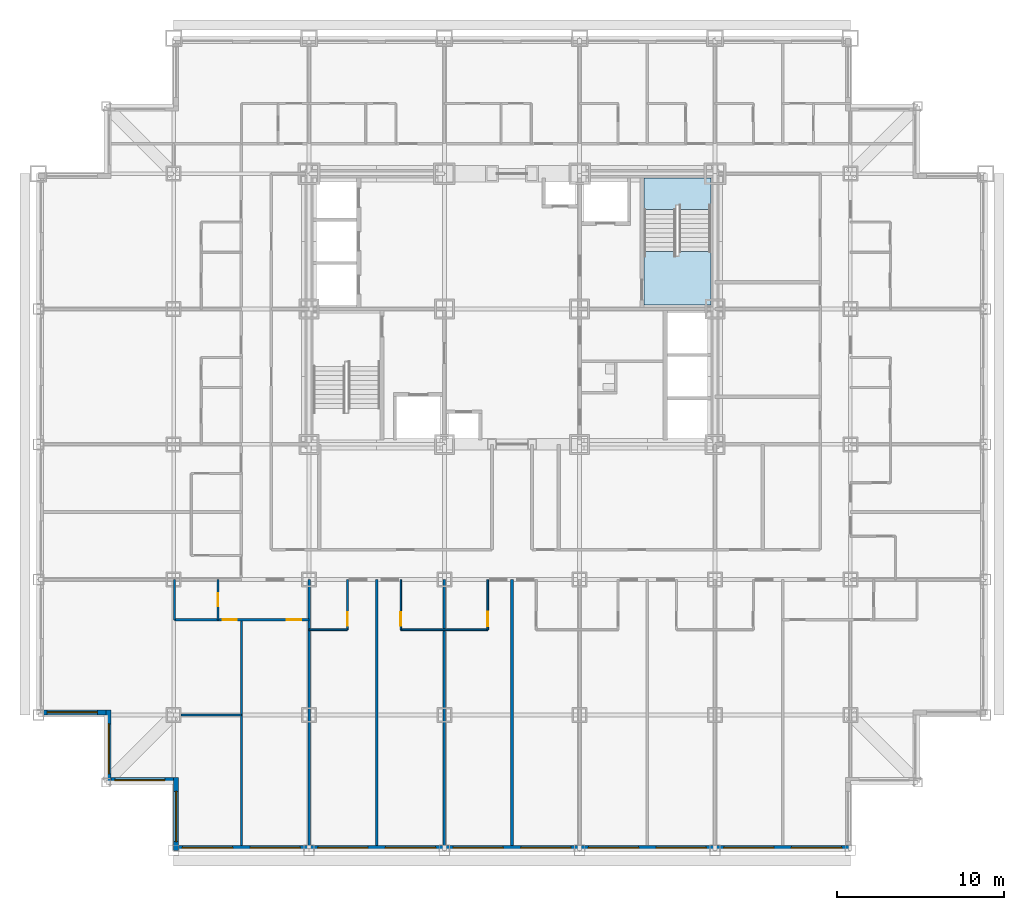
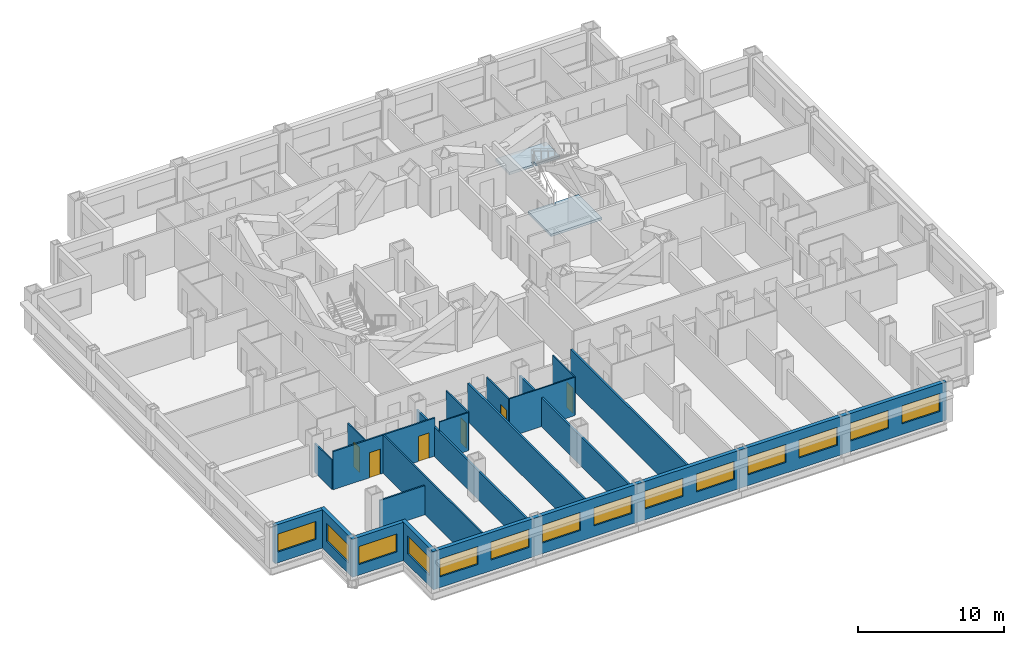
# One storey, part 3 of 12: 19 walls, 14 windows, 6 doors, 2 slabs, 20 openings, 1 element without a shape of its own.
"""IFC4 building model written with IfcOpenShell, lengths in metres."""

from ifc_helpers import new_model, si_unit, direction, frame, frame_2d, origin, place, context, subcontext, project, spatial, polyline, rectangle, outline, extrude, material, layer, layer_set, type_object, element, fill, aggregate, save


model = new_model("IFC4")

# Units and contexts
model_context = context("Model", 3, precision=1e-05, world=origin(), true_north=direction((0.0, 1.0)))
body_context = subcontext(model_context, "Body", "Model", "MODEL_VIEW")
ifc_project = project(units=[si_unit("LENGTHUNIT", "METRE"), si_unit("AREAUNIT", "SQUARE_METRE"), si_unit("VOLUMEUNIT", "CUBIC_METRE"), si_unit("PLANEANGLEUNIT", "RADIAN"), si_unit("MASSUNIT", "GRAM", prefix="KILO")], contexts=[model_context])

# Site, building, storey
site_placement = place(None, origin())
site = spatial("IfcSite", under=ifc_project, at=site_placement, CompositionType="ELEMENT")
building_placement = place(site_placement, origin())
building = spatial("IfcBuilding", under=site, at=building_placement, Name="Kopane Lantern Tower", CompositionType="ELEMENT")
storey_placement = place(building_placement, frame((0.0, 0.0, 77.199951171875)))
storey = spatial("IfcBuildingStorey", under=building, at=storey_placement, Name="L19", CompositionType="ELEMENT", Elevation=77.199951171875)

# Stair, slabs
ifc_material_1 = material(Name="Steel S355JR", Category="steel")
stair_type = type_object("IfcStairType", Name="EXIT STAIR 1900 HALF TURN", PredefinedType="HALF_TURN_STAIR", material=ifc_material_1)
stair_placement = place(storey_placement, origin())
stair = element("IfcStair", 1, at=stair_placement, inside=storey, type_object=stair_type, Name="Exit stair ST2 L19", PredefinedType="HALF_TURN_STAIR")
ifc_material_2 = material(Name="Concrete C40/50", Category="concrete")
ifc_layer_1 = layer(ifc_material_2, 0.199951171875)
ifc_layer_set_1 = layer_set([ifc_layer_1], Name="STAIR LANDING 200")
slab_type = type_object("IfcSlabType", Name="STAIR LANDING 200", PredefinedType="LANDING", material=ifc_layer_set_1)
slab_1_placement = place(storey_placement, frame((0.0, 0.0, -0.199951171875)))
slab_1 = element("IfcSlab", 2, at=slab_1_placement, type_object=slab_type, Name="ST2 landing 1", PredefinedType="LANDING", context=body_context, shape_type="SweptSolid", body=[
    extrude(outline(polyline([(40.25, 35.830078125), (38.35009765625, 35.830078125), (38.35009765625, 35.550048828125), (38.14990234375, 35.550048828125), (38.14990234375, 35.830078125), (36.25, 35.830078125), (36.25, 32.64990234375), (40.25, 32.64990234375), (40.25, 35.830078125)])), origin(), (0.0, 0.0, 1.0), 0.199951171875),
])
slab_2_placement = place(storey_placement, frame((0.0, 0.0, 1.5)))
slab_2 = element("IfcSlab", 3, at=slab_2_placement, type_object=slab_type, Name="ST2 landing 2", PredefinedType="LANDING", context=body_context, shape_type="SweptSolid", body=[
    extrude(outline(polyline([(38.14990234375, 38.6298828125), (38.35009765625, 38.6298828125), (38.35009765625, 38.35009765625), (40.25, 38.35009765625), (40.25, 40.25), (36.25, 40.25), (36.25, 38.35009765625), (38.14990234375, 38.35009765625), (38.14990234375, 38.6298828125)])), origin(), (0.0, 0.0, 1.0), 0.199951171875),
])
aggregate(stair, [slab_1, slab_2])

# Wall, openings, doors
ifc_material_3 = material(Name="Gypsum board on steel studs", Category="steel")
ifc_layer_2 = layer(ifc_material_3, 0.1201171875)
ifc_layer_set_2 = layer_set([ifc_layer_2], Name="APARTMENT INTERNAL WALL 120")
wall_type_1 = type_object("IfcWallType", Name="APARTMENT INTERNAL WALL 120", PredefinedType="PARTITIONING", material=ifc_layer_set_2)
wall_1_placement = place(storey_placement, frame((8.14990234375, 13.800048828125, 0.0), z_axis=(0.0, 0.0, 1.0), x_axis=(1.0, 0.0, 0.0)))
wall_1 = element("IfcWall", 4, at=wall_1_placement, inside=storey, type_object=wall_type_1, Name="Apartment Internal Wall 120 L19", PredefinedType="PARTITIONING", context=body_context, shape_type="SweptSolid", body=[
    extrude(rectangle(XDim=8.050048828125, YDim=0.1201171875, at=frame_2d((4.02490234375, 0.0))), origin(), (0.0, 0.0, 1.0), 3.18994140625),
])
opening_1_placement = place(wall_1_placement, frame((6.72509765625, 0.0, 0.0)))
opening_1 = element("IfcOpeningElement", 5, at=opening_1_placement, cuts=wall_1, Name="Opening L19-060", PredefinedType="OPENING", context=body_context, shape_type="SweptSolid", body=[
    extrude(rectangle(XDim=0.85009765625, YDim=2.10009765625, at=frame_2d((0.425048828125, 1.050048828125))), frame((0.0, 0.070068359375, 0.0), z_axis=(0.0, -1.0, 0.0), x_axis=(1.0, 0.0, 0.0)), (0.0, 0.0, 1.0), 0.14013671875),
])
opening_2_placement = place(wall_1_placement, frame((2.875, 0.0, 0.0)))
opening_2 = element("IfcOpeningElement", 6, at=opening_2_placement, cuts=wall_1, Name="Opening L19-062", PredefinedType="OPENING", context=body_context, shape_type="SweptSolid", body=[
    extrude(rectangle(XDim=0.85009765625, YDim=2.10009765625, at=frame_2d((0.425048828125, 1.050048828125))), frame((0.0, 0.070068359375, 0.0), z_axis=(0.0, -1.0, 0.0), x_axis=(1.0, 0.0, 0.0)), (0.0, 0.0, 1.0), 0.14013671875),
])
ifc_material_4 = material(Name="Timber door set", Category="wood")
door_type_1 = type_object("IfcDoorType", Name="DOOR D4 850x2100", OperationType="SINGLE_SWING_LEFT", PredefinedType="DOOR", material=ifc_material_4)
door_1_placement = place(opening_1_placement, origin())
door_1 = element("IfcDoor", 7, at=door_1_placement, inside=storey, type_object=door_type_1, Name="Door L19-060", OperationType="SINGLE_SWING_RIGHT", OverallHeight=2.10009765625, OverallWidth=0.85009765625, PredefinedType="DOOR", context=body_context, shape_type="SweptSolid", body=[
    extrude(rectangle(XDim=0.85009765625, YDim=2.10009765625, at=frame_2d((0.425048828125, 1.050048828125))), frame((0.0, 0.02490234375, 0.0), z_axis=(0.0, -1.0, 0.0), x_axis=(1.0, 0.0, 0.0)), (0.0, 0.0, 1.0), 0.050048828125),
])
fill(opening_1, door_1)
door_2_placement = place(opening_2_placement, origin())
door_2 = element("IfcDoor", 8, at=door_2_placement, inside=storey, type_object=door_type_1, Name="Door L19-062", OperationType="SINGLE_SWING_LEFT", OverallHeight=2.10009765625, OverallWidth=0.85009765625, PredefinedType="DOOR", context=body_context, shape_type="SweptSolid", body=[
    extrude(rectangle(XDim=0.85009765625, YDim=2.10009765625, at=frame_2d((0.425048828125, 1.050048828125))), frame((0.0, 0.02490234375, 0.0), z_axis=(0.0, -1.0, 0.0), x_axis=(1.0, 0.0, 0.0)), (0.0, 0.0, 1.0), 0.050048828125),
])
fill(opening_2, door_2)

# Walls
wall_2_placement = place(storey_placement, frame((12.14990234375, 13.800048828125, 0.0), z_axis=(0.0, 0.0, 1.0), x_axis=(0.0, -1.0, 0.0)))
element("IfcWall", 9, at=wall_2_placement, inside=storey, type_object=wall_type_1, Name="Apartment Internal Wall 120 L19", PredefinedType="PARTITIONING", context=body_context, shape_type="SweptSolid", body=[
    extrude(rectangle(XDim=13.5, YDim=0.1201171875, at=frame_2d((6.75, 0.0))), origin(), (0.0, 0.0, 1.0), 3.18994140625),
])
wall_3_placement = place(storey_placement, frame((12.14990234375, 8.10009765625, 0.0), z_axis=(0.0, 0.0, 1.0), x_axis=(-1.0, 0.0, 0.0)))
element("IfcWall", 10, at=wall_3_placement, inside=storey, type_object=wall_type_1, Name="Apartment Internal Wall 120 L19", PredefinedType="PARTITIONING", context=body_context, shape_type="SweptSolid", body=[
    extrude(rectangle(XDim=3.599853515625, YDim=0.1201171875, at=frame_2d((1.7998046875, 0.0))), origin(), (0.0, 0.0, 1.0), 2.427734375),
])
ifc_material_5 = material(Name="Moisture-resistant board on steel studs", Category="steel")
ifc_layer_3 = layer(ifc_material_5, 0.10009765625)
ifc_layer_set_3 = layer_set([ifc_layer_3], Name="BATHROOM WALL 100")
wall_type_2 = type_object("IfcWallType", Name="BATHROOM WALL 100", PredefinedType="PARTITIONING", material=ifc_layer_set_3)
wall_4_placement = place(storey_placement, frame((16.199951171875, 13.199951171875, 0.0), z_axis=(0.0, 0.0, 1.0), x_axis=(1.0, 0.0, 0.0)))
element("IfcWall", 11, at=wall_4_placement, inside=storey, type_object=wall_type_2, Name="Bathroom Wall 100 L19", PredefinedType="PARTITIONING", context=body_context, shape_type="SweptSolid", body=[
    extrude(rectangle(XDim=2.300048828125, YDim=0.10009765625, at=frame_2d((1.14990234375, 0.0))), origin(), (0.0, 0.0, 1.0), 3.18994140625),
])

# Wall, opening, door
wall_5_placement = place(storey_placement, frame((18.5, 16.199951171875, 0.0), z_axis=(0.0, 0.0, 1.0), x_axis=(0.0, -1.0, 0.0)))
wall_5 = element("IfcWall", 12, at=wall_5_placement, inside=storey, type_object=wall_type_2, Name="Bathroom Wall 100 L19", PredefinedType="PARTITIONING", context=body_context, shape_type="SweptSolid", body=[
    extrude(rectangle(XDim=3.0, YDim=0.10009765625, at=frame_2d((1.5, 0.0))), origin(), (0.0, 0.0, 1.0), 3.18994140625),
])
opening_3_placement = place(wall_5_placement, frame((1.949951171875, 0.0, 0.0)))
opening_3 = element("IfcOpeningElement", 13, at=opening_3_placement, cuts=wall_5, Name="Opening L19-013", PredefinedType="OPENING", context=body_context, shape_type="SweptSolid", body=[
    extrude(rectangle(XDim=0.800048828125, YDim=2.10009765625, at=frame_2d((0.39990234375, 1.050048828125))), frame((0.0, 0.06005859375, 0.0), z_axis=(0.0, -1.0, 0.0), x_axis=(1.0, 0.0, 0.0)), (0.0, 0.0, 1.0), 0.1201171875),
])
ifc_material_6 = material(Name="Timber door set", Category="wood")
door_type_2 = type_object("IfcDoorType", Name="DOOR D2 800x2100", OperationType="SINGLE_SWING_LEFT", PredefinedType="DOOR", material=ifc_material_6)
door_3_placement = place(opening_3_placement, origin())
door_3 = element("IfcDoor", 14, at=door_3_placement, inside=storey, type_object=door_type_2, Name="Door L19-013", OperationType="SINGLE_SWING_LEFT", OverallHeight=2.10009765625, OverallWidth=0.800048828125, PredefinedType="DOOR", context=body_context, shape_type="SweptSolid", body=[
    extrude(rectangle(XDim=0.800048828125, YDim=2.10009765625, at=frame_2d((0.39990234375, 1.050048828125))), frame((0.0, 0.02490234375, 0.0), z_axis=(0.0, -1.0, 0.0), x_axis=(1.0, 0.0, 0.0)), (0.0, 0.0, 1.0), 0.050048828125),
])
fill(opening_3, door_3)

# Wall
wall_6_placement = place(storey_placement, frame((21.699951171875, 13.199951171875, 0.0), z_axis=(0.0, 0.0, 1.0), x_axis=(1.0, 0.0, 0.0)))
element("IfcWall", 15, at=wall_6_placement, inside=storey, type_object=wall_type_2, Name="Bathroom Wall 100 L19", PredefinedType="PARTITIONING", context=body_context, shape_type="SweptSolid", body=[
    extrude(rectangle(XDim=5.199951171875, YDim=0.10009765625, at=frame_2d((2.60009765625, 0.0))), origin(), (0.0, 0.0, 1.0), 3.18994140625),
])

# Wall, opening, door
wall_7_placement = place(storey_placement, frame((21.699951171875, 16.199951171875, 0.0), z_axis=(0.0, 0.0, 1.0), x_axis=(0.0, -1.0, 0.0)))
wall_7 = element("IfcWall", 16, at=wall_7_placement, inside=storey, type_object=wall_type_2, Name="Bathroom Wall 100 L19", PredefinedType="PARTITIONING", context=body_context, shape_type="SweptSolid", body=[
    extrude(rectangle(XDim=3.0, YDim=0.10009765625, at=frame_2d((1.5, 0.0))), origin(), (0.0, 0.0, 1.0), 3.18994140625),
])
opening_4_placement = place(wall_7_placement, frame((1.949951171875, 0.0, 0.0)))
opening_4 = element("IfcOpeningElement", 17, at=opening_4_placement, cuts=wall_7, Name="Opening L19-015", PredefinedType="OPENING", context=body_context, shape_type="SweptSolid", body=[
    extrude(rectangle(XDim=0.800048828125, YDim=2.10009765625, at=frame_2d((0.39990234375, 1.050048828125))), frame((0.0, 0.06005859375, 0.0), z_axis=(0.0, -1.0, 0.0), x_axis=(1.0, 0.0, 0.0)), (0.0, 0.0, 1.0), 0.1201171875),
])
door_4_placement = place(opening_4_placement, origin())
door_4 = element("IfcDoor", 18, at=door_4_placement, inside=storey, type_object=door_type_2, Name="Door L19-015", OperationType="SINGLE_SWING_RIGHT", OverallHeight=2.10009765625, OverallWidth=0.800048828125, PredefinedType="DOOR", context=body_context, shape_type="SweptSolid", body=[
    extrude(rectangle(XDim=0.800048828125, YDim=2.10009765625, at=frame_2d((0.39990234375, 1.050048828125))), frame((0.0, 0.02490234375, 0.0), z_axis=(0.0, -1.0, 0.0), x_axis=(1.0, 0.0, 0.0)), (0.0, 0.0, 1.0), 0.050048828125),
])
fill(opening_4, door_4)

wall_8_placement = place(storey_placement, frame((26.89990234375, 16.199951171875, 0.0), z_axis=(0.0, 0.0, 1.0), x_axis=(0.0, -1.0, 0.0)))
wall_8 = element("IfcWall", 19, at=wall_8_placement, inside=storey, type_object=wall_type_2, Name="Bathroom Wall 100 L19", PredefinedType="PARTITIONING", context=body_context, shape_type="SweptSolid", body=[
    extrude(rectangle(XDim=3.0, YDim=0.10009765625, at=frame_2d((1.5, 0.0))), origin(), (0.0, 0.0, 1.0), 3.18994140625),
])
opening_5_placement = place(wall_8_placement, frame((1.925048828125, 0.0, 0.0)))
opening_5 = element("IfcOpeningElement", 20, at=opening_5_placement, cuts=wall_8, Name="Opening L19-017", PredefinedType="OPENING", context=body_context, shape_type="SweptSolid", body=[
    extrude(rectangle(XDim=0.85009765625, YDim=2.10009765625, at=frame_2d((0.425048828125, 1.050048828125))), frame((0.0, 0.06005859375, 0.0), z_axis=(0.0, -1.0, 0.0), x_axis=(1.0, 0.0, 0.0)), (0.0, 0.0, 1.0), 0.1201171875),
])
door_5_placement = place(opening_5_placement, origin())
door_5 = element("IfcDoor", 21, at=door_5_placement, inside=storey, type_object=door_type_1, Name="Door L19-017", OperationType="SINGLE_SWING_LEFT", OverallHeight=2.10009765625, OverallWidth=0.85009765625, PredefinedType="DOOR", context=body_context, shape_type="SweptSolid", body=[
    extrude(rectangle(XDim=0.85009765625, YDim=2.10009765625, at=frame_2d((0.425048828125, 1.050048828125))), frame((0.0, 0.02490234375, 0.0), z_axis=(0.0, -1.0, 0.0), x_axis=(1.0, 0.0, 0.0)), (0.0, 0.0, 1.0), 0.050048828125),
])
fill(opening_5, door_5)

wall_9_placement = place(storey_placement, frame((10.75, 16.199951171875, 0.0), z_axis=(0.0, 0.0, 1.0), x_axis=(0.0, -1.0, 0.0)))
wall_9 = element("IfcWall", 22, at=wall_9_placement, inside=storey, type_object=wall_type_2, Name="Bathroom Wall 100 L19", PredefinedType="PARTITIONING", context=body_context, shape_type="SweptSolid", body=[
    extrude(rectangle(XDim=2.39990234375, YDim=0.10009765625, at=frame_2d((1.199951171875, 0.0))), origin(), (0.0, 0.0, 1.0), 3.18994140625),
])
opening_6_placement = place(wall_9_placement, frame((0.800048828125, 0.0, 0.0)))
opening_6 = element("IfcOpeningElement", 23, at=opening_6_placement, cuts=wall_9, Name="Opening L19-061", PredefinedType="OPENING", context=body_context, shape_type="SweptSolid", body=[
    extrude(rectangle(XDim=0.800048828125, YDim=2.10009765625, at=frame_2d((0.39990234375, 1.050048828125))), frame((0.0, 0.06005859375, 0.0), z_axis=(0.0, -1.0, 0.0), x_axis=(1.0, 0.0, 0.0)), (0.0, 0.0, 1.0), 0.1201171875),
])
door_6_placement = place(opening_6_placement, origin())
door_6 = element("IfcDoor", 24, at=door_6_placement, inside=storey, type_object=door_type_2, Name="Door L19-061", OperationType="SINGLE_SWING_RIGHT", OverallHeight=2.10009765625, OverallWidth=0.800048828125, PredefinedType="DOOR", context=body_context, shape_type="SweptSolid", body=[
    extrude(rectangle(XDim=0.800048828125, YDim=2.10009765625, at=frame_2d((0.39990234375, 1.050048828125))), frame((0.0, 0.02490234375, 0.0), z_axis=(0.0, -1.0, 0.0), x_axis=(1.0, 0.0, 0.0)), (0.0, 0.0, 1.0), 0.050048828125),
])
fill(opening_6, door_6)

# Walls
wall_10_placement = place(storey_placement, frame((8.14990234375, 16.199951171875, 0.0), z_axis=(0.0, 0.0, 1.0), x_axis=(0.0, -1.0, 0.0)))
element("IfcWall", 25, at=wall_10_placement, inside=storey, type_object=wall_type_2, Name="Bathroom Wall 100 L19", PredefinedType="PARTITIONING", context=body_context, shape_type="SweptSolid", body=[
    extrude(rectangle(XDim=2.39990234375, YDim=0.10009765625, at=frame_2d((1.199951171875, 0.0))), origin(), (0.0, 0.0, 1.0), 2.427734375),
])
ifc_material_7 = material(Name="Gypsum board on steel studs", Category="steel")
ifc_layer_4 = layer(ifc_material_7, 0.14990234375)
ifc_layer_set_4 = layer_set([ifc_layer_4], Name="DEMISING WALL 150 EI 60")
wall_type_3 = type_object("IfcWallType", Name="DEMISING WALL 150 EI 60", PredefinedType="PARTITIONING", material=ifc_layer_set_4)
wall_11_placement = place(storey_placement, frame((20.25, 16.199951171875, 0.0), z_axis=(0.0, 0.0, 1.0), x_axis=(0.0, -1.0, 0.0)))
element("IfcWall", 26, at=wall_11_placement, inside=storey, type_object=wall_type_3, Name="Demising Wall 150 Ei 60 L19", PredefinedType="PARTITIONING", context=body_context, shape_type="SweptSolid", body=[
    extrude(rectangle(XDim=15.89990234375, YDim=0.14990234375, at=frame_2d((7.949951171875, 0.0))), origin(), (0.0, 0.0, 1.0), 3.18994140625),
])
wall_12_placement = place(storey_placement, frame((24.300048828125, 16.199951171875, 0.0), z_axis=(0.0, 0.0, 1.0), x_axis=(0.0, -1.0, 0.0)))
element("IfcWall", 27, at=wall_12_placement, inside=storey, type_object=wall_type_3, Name="Demising Wall 150 Ei 60 L19", PredefinedType="PARTITIONING", context=body_context, shape_type="SweptSolid", body=[
    extrude(rectangle(XDim=15.89990234375, YDim=0.14990234375, at=frame_2d((7.949951171875, 0.0))), origin(), (0.0, 0.0, 1.0), 2.427734375),
])
wall_13_placement = place(storey_placement, frame((28.35009765625, 16.199951171875, 0.0), z_axis=(0.0, 0.0, 1.0), x_axis=(0.0, -1.0, 0.0)))
element("IfcWall", 28, at=wall_13_placement, inside=storey, type_object=wall_type_3, Name="Demising Wall 150 Ei 60 L19", PredefinedType="PARTITIONING", context=body_context, shape_type="SweptSolid", body=[
    extrude(rectangle(XDim=15.89990234375, YDim=0.14990234375, at=frame_2d((7.949951171875, 0.0))), origin(), (0.0, 0.0, 1.0), 3.18994140625),
])
wall_14_placement = place(storey_placement, frame((16.199951171875, 16.199951171875, 0.0), z_axis=(0.0, 0.0, 1.0), x_axis=(0.0, -1.0, 0.0)))
element("IfcWall", 29, at=wall_14_placement, inside=storey, type_object=wall_type_3, Name="Demising Wall 150 Ei 60 L19", PredefinedType="PARTITIONING", context=body_context, shape_type="SweptSolid", body=[
    extrude(rectangle(XDim=15.89990234375, YDim=0.14990234375, at=frame_2d((7.949951171875, 0.0))), origin(), (0.0, 0.0, 1.0), 2.427734375),
])

# Wall, openings, windows
ifc_material_8 = material(Name="Terracotta rainscreen on light steel framing", Category="masonry")
ifc_layer_5 = layer(ifc_material_8, 0.300048828125)
ifc_layer_set_5 = layer_set([ifc_layer_5], Name="EXTERNAL WALL EW1 300 TERRACOTTA")
wall_type_4 = type_object("IfcWallType", Name="EXTERNAL WALL EW1 300 TERRACOTTA", PredefinedType="SOLIDWALL", material=ifc_layer_set_5)
wall_15_placement = place(storey_placement, frame((8.39990234375, 0.14990234375, 0.0), z_axis=(0.0, 0.0, 1.0), x_axis=(1.0, 0.0, 0.0)))
wall_15 = element("IfcWall", 30, at=wall_15_placement, inside=storey, type_object=wall_type_4, Name="External wall S L19", PredefinedType="SOLIDWALL", context=body_context, shape_type="SweptSolid", body=[
    extrude(rectangle(XDim=40.2001953125, YDim=0.300048828125, at=frame_2d((20.10009765625, 0.0))), origin(), (0.0, 0.0, 1.0), 3.18994140625),
])
opening_7_placement = place(wall_15_placement, frame((0.22509765625, 0.0, 0.89990234375)))
opening_7 = element("IfcOpeningElement", 31, at=opening_7_placement, cuts=wall_15, Name="Opening WR300150", PredefinedType="OPENING", context=body_context, shape_type="SweptSolid", body=[
    extrude(rectangle(XDim=3.0, YDim=1.5, at=frame_2d((1.5, 0.75))), frame((0.0, 0.159912109375, 0.0), z_axis=(0.0, -1.0, 0.0), x_axis=(1.0, 0.0, 0.0)), (0.0, 0.0, 1.0), 0.320068359375),
])
opening_8_placement = place(wall_15_placement, frame((4.27490234375, 0.0, 0.89990234375)))
opening_8 = element("IfcOpeningElement", 32, at=opening_8_placement, cuts=wall_15, Name="Opening WR300150", PredefinedType="OPENING", context=body_context, shape_type="SweptSolid", body=[
    extrude(rectangle(XDim=3.0, YDim=1.5, at=frame_2d((1.5, 0.75))), frame((0.0, 0.159912109375, 0.0), z_axis=(0.0, -1.0, 0.0), x_axis=(1.0, 0.0, 0.0)), (0.0, 0.0, 1.0), 0.320068359375),
])
opening_9_placement = place(wall_15_placement, frame((8.324951171875, 0.0, 0.89990234375)))
opening_9 = element("IfcOpeningElement", 33, at=opening_9_placement, cuts=wall_15, Name="Opening WR300150", PredefinedType="OPENING", context=body_context, shape_type="SweptSolid", body=[
    extrude(rectangle(XDim=3.0, YDim=1.5, at=frame_2d((1.5, 0.75))), frame((0.0, 0.159912109375, 0.0), z_axis=(0.0, -1.0, 0.0), x_axis=(1.0, 0.0, 0.0)), (0.0, 0.0, 1.0), 0.320068359375),
])
opening_10_placement = place(wall_15_placement, frame((12.375, 0.0, 0.89990234375)))
opening_10 = element("IfcOpeningElement", 34, at=opening_10_placement, cuts=wall_15, Name="Opening WR300150", PredefinedType="OPENING", context=body_context, shape_type="SweptSolid", body=[
    extrude(rectangle(XDim=3.0, YDim=1.5, at=frame_2d((1.5, 0.75))), frame((0.0, 0.159912109375, 0.0), z_axis=(0.0, -1.0, 0.0), x_axis=(1.0, 0.0, 0.0)), (0.0, 0.0, 1.0), 0.320068359375),
])
opening_11_placement = place(wall_15_placement, frame((16.425048828125, 0.0, 0.89990234375)))
opening_11 = element("IfcOpeningElement", 35, at=opening_11_placement, cuts=wall_15, Name="Opening WR300150", PredefinedType="OPENING", context=body_context, shape_type="SweptSolid", body=[
    extrude(rectangle(XDim=3.0, YDim=1.5, at=frame_2d((1.5, 0.75))), frame((0.0, 0.159912109375, 0.0), z_axis=(0.0, -1.0, 0.0), x_axis=(1.0, 0.0, 0.0)), (0.0, 0.0, 1.0), 0.320068359375),
])
opening_12_placement = place(wall_15_placement, frame((20.47509765625, 0.0, 0.89990234375)))
opening_12 = element("IfcOpeningElement", 36, at=opening_12_placement, cuts=wall_15, Name="Opening WR300150", PredefinedType="OPENING", context=body_context, shape_type="SweptSolid", body=[
    extrude(rectangle(XDim=3.0, YDim=1.5, at=frame_2d((1.5, 0.75))), frame((0.0, 0.159912109375, 0.0), z_axis=(0.0, -1.0, 0.0), x_axis=(1.0, 0.0, 0.0)), (0.0, 0.0, 1.0), 0.320068359375),
])
opening_13_placement = place(wall_15_placement, frame((24.52490234375, 0.0, 0.89990234375)))
opening_13 = element("IfcOpeningElement", 37, at=opening_13_placement, cuts=wall_15, Name="Opening WR300150", PredefinedType="OPENING", context=body_context, shape_type="SweptSolid", body=[
    extrude(rectangle(XDim=3.0, YDim=1.5, at=frame_2d((1.5, 0.75))), frame((0.0, 0.159912109375, 0.0), z_axis=(0.0, -1.0, 0.0), x_axis=(1.0, 0.0, 0.0)), (0.0, 0.0, 1.0), 0.320068359375),
])
opening_14_placement = place(wall_15_placement, frame((28.574951171875, 0.0, 0.89990234375)))
opening_14 = element("IfcOpeningElement", 38, at=opening_14_placement, cuts=wall_15, Name="Opening WR300150", PredefinedType="OPENING", context=body_context, shape_type="SweptSolid", body=[
    extrude(rectangle(XDim=3.0, YDim=1.5, at=frame_2d((1.5, 0.75))), frame((0.0, 0.159912109375, 0.0), z_axis=(0.0, -1.0, 0.0), x_axis=(1.0, 0.0, 0.0)), (0.0, 0.0, 1.0), 0.320068359375),
])
opening_15_placement = place(wall_15_placement, frame((32.625, 0.0, 0.89990234375)))
opening_15 = element("IfcOpeningElement", 39, at=opening_15_placement, cuts=wall_15, Name="Opening WR300150", PredefinedType="OPENING", context=body_context, shape_type="SweptSolid", body=[
    extrude(rectangle(XDim=3.0, YDim=1.5, at=frame_2d((1.5, 0.75))), frame((0.0, 0.159912109375, 0.0), z_axis=(0.0, -1.0, 0.0), x_axis=(1.0, 0.0, 0.0)), (0.0, 0.0, 1.0), 0.320068359375),
])
opening_16_placement = place(wall_15_placement, frame((36.675048828125, 0.0, 0.89990234375)))
opening_16 = element("IfcOpeningElement", 40, at=opening_16_placement, cuts=wall_15, Name="Opening WR300150", PredefinedType="OPENING", context=body_context, shape_type="SweptSolid", body=[
    extrude(rectangle(XDim=3.0, YDim=1.5, at=frame_2d((1.5, 0.75))), frame((0.0, 0.159912109375, 0.0), z_axis=(0.0, -1.0, 0.0), x_axis=(1.0, 0.0, 0.0)), (0.0, 0.0, 1.0), 0.320068359375),
])
ifc_material_9 = material(Name="Aluminium and clear glass", Category="aluminium")
window_type = type_object("IfcWindowType", Name="RIBBON WINDOW WR300150 3000x1500", PartitioningType="SINGLE_PANEL", PredefinedType="WINDOW", material=ifc_material_9)
window_1_placement = place(opening_7_placement, origin())
window_1 = element("IfcWindow", 41, at=window_1_placement, inside=storey, type_object=window_type, Name="Window S L19", OverallHeight=1.5, OverallWidth=3.0, PartitioningType="SINGLE_PANEL", PredefinedType="WINDOW", context=body_context, shape_type="SweptSolid", body=[
    extrude(rectangle(XDim=3.0, YDim=1.5, at=frame_2d((1.5, 0.75))), frame((0.0, 0.030029296875, 0.0), z_axis=(0.0, -1.0, 0.0), x_axis=(1.0, 0.0, 0.0)), (0.0, 0.0, 1.0), 0.06005859375),
])
fill(opening_7, window_1)
window_2_placement = place(opening_8_placement, origin())
window_2 = element("IfcWindow", 42, at=window_2_placement, inside=storey, type_object=window_type, Name="Window S L19", OverallHeight=1.5, OverallWidth=3.0, PartitioningType="SINGLE_PANEL", PredefinedType="WINDOW", context=body_context, shape_type="SweptSolid", body=[
    extrude(rectangle(XDim=3.0, YDim=1.5, at=frame_2d((1.5, 0.75))), frame((0.0, 0.030029296875, 0.0), z_axis=(0.0, -1.0, 0.0), x_axis=(1.0, 0.0, 0.0)), (0.0, 0.0, 1.0), 0.06005859375),
])
fill(opening_8, window_2)
window_3_placement = place(opening_9_placement, origin())
window_3 = element("IfcWindow", 43, at=window_3_placement, inside=storey, type_object=window_type, Name="Window S L19", OverallHeight=1.5, OverallWidth=3.0, PartitioningType="SINGLE_PANEL", PredefinedType="WINDOW", context=body_context, shape_type="SweptSolid", body=[
    extrude(rectangle(XDim=3.0, YDim=1.5, at=frame_2d((1.5, 0.75))), frame((0.0, 0.030029296875, 0.0), z_axis=(0.0, -1.0, 0.0), x_axis=(1.0, 0.0, 0.0)), (0.0, 0.0, 1.0), 0.06005859375),
])
fill(opening_9, window_3)
window_4_placement = place(opening_10_placement, origin())
window_4 = element("IfcWindow", 44, at=window_4_placement, inside=storey, type_object=window_type, Name="Window S L19", OverallHeight=1.5, OverallWidth=3.0, PartitioningType="SINGLE_PANEL", PredefinedType="WINDOW", context=body_context, shape_type="SweptSolid", body=[
    extrude(rectangle(XDim=3.0, YDim=1.5, at=frame_2d((1.5, 0.75))), frame((0.0, 0.030029296875, 0.0), z_axis=(0.0, -1.0, 0.0), x_axis=(1.0, 0.0, 0.0)), (0.0, 0.0, 1.0), 0.06005859375),
])
fill(opening_10, window_4)
window_5_placement = place(opening_11_placement, origin())
window_5 = element("IfcWindow", 45, at=window_5_placement, inside=storey, type_object=window_type, Name="Window S L19", OverallHeight=1.5, OverallWidth=3.0, PartitioningType="SINGLE_PANEL", PredefinedType="WINDOW", context=body_context, shape_type="SweptSolid", body=[
    extrude(rectangle(XDim=3.0, YDim=1.5, at=frame_2d((1.5, 0.75))), frame((0.0, 0.030029296875, 0.0), z_axis=(0.0, -1.0, 0.0), x_axis=(1.0, 0.0, 0.0)), (0.0, 0.0, 1.0), 0.06005859375),
])
fill(opening_11, window_5)
window_6_placement = place(opening_12_placement, origin())
window_6 = element("IfcWindow", 46, at=window_6_placement, inside=storey, type_object=window_type, Name="Window S L19", OverallHeight=1.5, OverallWidth=3.0, PartitioningType="SINGLE_PANEL", PredefinedType="WINDOW", context=body_context, shape_type="SweptSolid", body=[
    extrude(rectangle(XDim=3.0, YDim=1.5, at=frame_2d((1.5, 0.75))), frame((0.0, 0.030029296875, 0.0), z_axis=(0.0, -1.0, 0.0), x_axis=(1.0, 0.0, 0.0)), (0.0, 0.0, 1.0), 0.06005859375),
])
fill(opening_12, window_6)
window_7_placement = place(opening_13_placement, origin())
window_7 = element("IfcWindow", 47, at=window_7_placement, inside=storey, type_object=window_type, Name="Window S L19", OverallHeight=1.5, OverallWidth=3.0, PartitioningType="SINGLE_PANEL", PredefinedType="WINDOW", context=body_context, shape_type="SweptSolid", body=[
    extrude(rectangle(XDim=3.0, YDim=1.5, at=frame_2d((1.5, 0.75))), frame((0.0, 0.030029296875, 0.0), z_axis=(0.0, -1.0, 0.0), x_axis=(1.0, 0.0, 0.0)), (0.0, 0.0, 1.0), 0.06005859375),
])
fill(opening_13, window_7)
window_8_placement = place(opening_14_placement, origin())
window_8 = element("IfcWindow", 48, at=window_8_placement, inside=storey, type_object=window_type, Name="Window S L19", OverallHeight=1.5, OverallWidth=3.0, PartitioningType="SINGLE_PANEL", PredefinedType="WINDOW", context=body_context, shape_type="SweptSolid", body=[
    extrude(rectangle(XDim=3.0, YDim=1.5, at=frame_2d((1.5, 0.75))), frame((0.0, 0.030029296875, 0.0), z_axis=(0.0, -1.0, 0.0), x_axis=(1.0, 0.0, 0.0)), (0.0, 0.0, 1.0), 0.06005859375),
])
fill(opening_14, window_8)
window_9_placement = place(opening_15_placement, origin())
window_9 = element("IfcWindow", 49, at=window_9_placement, inside=storey, type_object=window_type, Name="Window S L19", OverallHeight=1.5, OverallWidth=3.0, PartitioningType="SINGLE_PANEL", PredefinedType="WINDOW", context=body_context, shape_type="SweptSolid", body=[
    extrude(rectangle(XDim=3.0, YDim=1.5, at=frame_2d((1.5, 0.75))), frame((0.0, 0.030029296875, 0.0), z_axis=(0.0, -1.0, 0.0), x_axis=(1.0, 0.0, 0.0)), (0.0, 0.0, 1.0), 0.06005859375),
])
fill(opening_15, window_9)
window_10_placement = place(opening_16_placement, origin())
window_10 = element("IfcWindow", 50, at=window_10_placement, inside=storey, type_object=window_type, Name="Window S L19", OverallHeight=1.5, OverallWidth=3.0, PartitioningType="SINGLE_PANEL", PredefinedType="WINDOW", context=body_context, shape_type="SweptSolid", body=[
    extrude(rectangle(XDim=3.0, YDim=1.5, at=frame_2d((1.5, 0.75))), frame((0.0, 0.030029296875, 0.0), z_axis=(0.0, -1.0, 0.0), x_axis=(1.0, 0.0, 0.0)), (0.0, 0.0, 1.0), 0.06005859375),
])
fill(opening_16, window_10)

# Wall, opening, window
wall_16_placement = place(storey_placement, frame((0.300048828125, 8.25, 0.0), z_axis=(0.0, 0.0, 1.0), x_axis=(1.0, 0.0, 0.0)))
wall_16 = element("IfcWall", 51, at=wall_16_placement, inside=storey, type_object=wall_type_4, Name="External wall S L19", PredefinedType="SOLIDWALL", context=body_context, shape_type="SweptSolid", body=[
    extrude(rectangle(XDim=3.75, YDim=0.300048828125, at=frame_2d((1.875, 0.0))), origin(), (0.0, 0.0, 1.0), 3.18994140625),
])
opening_17_placement = place(wall_16_placement, frame((0.22509765625, 0.0, 0.89990234375)))
opening_17 = element("IfcOpeningElement", 52, at=opening_17_placement, cuts=wall_16, Name="Opening WR300150", PredefinedType="OPENING", context=body_context, shape_type="SweptSolid", body=[
    extrude(rectangle(XDim=3.0, YDim=1.5, at=frame_2d((1.5, 0.75))), frame((0.0, 0.159912109375, 0.0), z_axis=(0.0, -1.0, 0.0), x_axis=(1.0, 0.0, 0.0)), (0.0, 0.0, 1.0), 0.320068359375),
])
window_11_placement = place(opening_17_placement, origin())
window_11 = element("IfcWindow", 53, at=window_11_placement, inside=storey, type_object=window_type, Name="Window S L19", OverallHeight=1.5, OverallWidth=3.0, PartitioningType="SINGLE_PANEL", PredefinedType="WINDOW", context=body_context, shape_type="SweptSolid", body=[
    extrude(rectangle(XDim=3.0, YDim=1.5, at=frame_2d((1.5, 0.75))), frame((0.0, 0.030029296875, 0.0), z_axis=(0.0, -1.0, 0.0), x_axis=(1.0, 0.0, 0.0)), (0.0, 0.0, 1.0), 0.06005859375),
])
fill(opening_17, window_11)

wall_17_placement = place(storey_placement, frame((4.199951171875, 8.39990234375, 0.0), z_axis=(0.0, 0.0, 1.0), x_axis=(0.0, -1.0, 0.0)))
wall_17 = element("IfcWall", 54, at=wall_17_placement, inside=storey, type_object=wall_type_4, Name="External wall W L19", PredefinedType="SOLIDWALL", context=body_context, shape_type="SweptSolid", body=[
    extrude(rectangle(XDim=4.349853515625, YDim=0.300048828125, at=frame_2d((2.1748046875, 0.0))), origin(), (0.0, 0.0, 1.0), 3.18994140625),
])
opening_18_placement = place(wall_17_placement, frame((0.824951171875, 0.0, 0.89990234375)))
opening_18 = element("IfcOpeningElement", 55, at=opening_18_placement, cuts=wall_17, Name="Opening WR300150", PredefinedType="OPENING", context=body_context, shape_type="SweptSolid", body=[
    extrude(rectangle(XDim=3.0, YDim=1.5, at=frame_2d((1.5, 0.75))), frame((0.0, 0.159912109375, 0.0), z_axis=(0.0, -1.0, 0.0), x_axis=(1.0, 0.0, 0.0)), (0.0, 0.0, 1.0), 0.320068359375),
])
window_12_placement = place(opening_18_placement, origin())
window_12 = element("IfcWindow", 56, at=window_12_placement, inside=storey, type_object=window_type, Name="Window W L19", OverallHeight=1.5, OverallWidth=3.0, PartitioningType="SINGLE_PANEL", PredefinedType="WINDOW", context=body_context, shape_type="SweptSolid", body=[
    extrude(rectangle(XDim=3.0, YDim=1.5, at=frame_2d((1.5, 0.75))), frame((0.0, 0.030029296875, 0.0), z_axis=(0.0, -1.0, 0.0), x_axis=(1.0, 0.0, 0.0)), (0.0, 0.0, 1.0), 0.06005859375),
])
fill(opening_18, window_12)

wall_18_placement = place(storey_placement, frame((4.35009765625, 4.199951171875, 0.0), z_axis=(0.0, 0.0, 1.0), x_axis=(1.0, 0.0, 0.0)))
wall_18 = element("IfcWall", 57, at=wall_18_placement, inside=storey, type_object=wall_type_4, Name="External wall S L19", PredefinedType="SOLIDWALL", context=body_context, shape_type="SweptSolid", body=[
    extrude(rectangle(XDim=3.75, YDim=0.300048828125, at=frame_2d((1.875, 0.0))), origin(), (0.0, 0.0, 1.0), 3.18994140625),
])
opening_19_placement = place(wall_18_placement, frame((0.22509765625, 0.0, 0.89990234375)))
opening_19 = element("IfcOpeningElement", 58, at=opening_19_placement, cuts=wall_18, Name="Opening WR300150", PredefinedType="OPENING", context=body_context, shape_type="SweptSolid", body=[
    extrude(rectangle(XDim=3.0, YDim=1.5, at=frame_2d((1.5, 0.75))), frame((0.0, 0.159912109375, 0.0), z_axis=(0.0, -1.0, 0.0), x_axis=(1.0, 0.0, 0.0)), (0.0, 0.0, 1.0), 0.320068359375),
])
window_13_placement = place(opening_19_placement, origin())
window_13 = element("IfcWindow", 59, at=window_13_placement, inside=storey, type_object=window_type, Name="Window S L19", OverallHeight=1.5, OverallWidth=3.0, PartitioningType="SINGLE_PANEL", PredefinedType="WINDOW", context=body_context, shape_type="SweptSolid", body=[
    extrude(rectangle(XDim=3.0, YDim=1.5, at=frame_2d((1.5, 0.75))), frame((0.0, 0.030029296875, 0.0), z_axis=(0.0, -1.0, 0.0), x_axis=(1.0, 0.0, 0.0)), (0.0, 0.0, 1.0), 0.06005859375),
])
fill(opening_19, window_13)

wall_19_placement = place(storey_placement, frame((8.25, 4.35009765625, 0.0), z_axis=(0.0, 0.0, 1.0), x_axis=(0.0, -1.0, 0.0)))
wall_19 = element("IfcWall", 60, at=wall_19_placement, inside=storey, type_object=wall_type_4, Name="External wall W L19", PredefinedType="SOLIDWALL", context=body_context, shape_type="SweptSolid", body=[
    extrude(rectangle(XDim=4.35009765625, YDim=0.300048828125, at=frame_2d((2.175048828125, 0.0))), origin(), (0.0, 0.0, 1.0), 3.18994140625),
])
opening_20_placement = place(wall_19_placement, frame((0.824951171875, 0.0, 0.89990234375)))
opening_20 = element("IfcOpeningElement", 61, at=opening_20_placement, cuts=wall_19, Name="Opening WR300150", PredefinedType="OPENING", context=body_context, shape_type="SweptSolid", body=[
    extrude(rectangle(XDim=3.0, YDim=1.5, at=frame_2d((1.5, 0.75))), frame((0.0, 0.159912109375, 0.0), z_axis=(0.0, -1.0, 0.0), x_axis=(1.0, 0.0, 0.0)), (0.0, 0.0, 1.0), 0.320068359375),
])
window_14_placement = place(opening_20_placement, origin())
window_14 = element("IfcWindow", 62, at=window_14_placement, inside=storey, type_object=window_type, Name="Window W L19", OverallHeight=1.5, OverallWidth=3.0, PartitioningType="SINGLE_PANEL", PredefinedType="WINDOW", context=body_context, shape_type="SweptSolid", body=[
    extrude(rectangle(XDim=3.0, YDim=1.5, at=frame_2d((1.5, 0.75))), frame((0.0, 0.030029296875, 0.0), z_axis=(0.0, -1.0, 0.0), x_axis=(1.0, 0.0, 0.0)), (0.0, 0.0, 1.0), 0.06005859375),
])
fill(opening_20, window_14)

save(model, "model.ifc")
